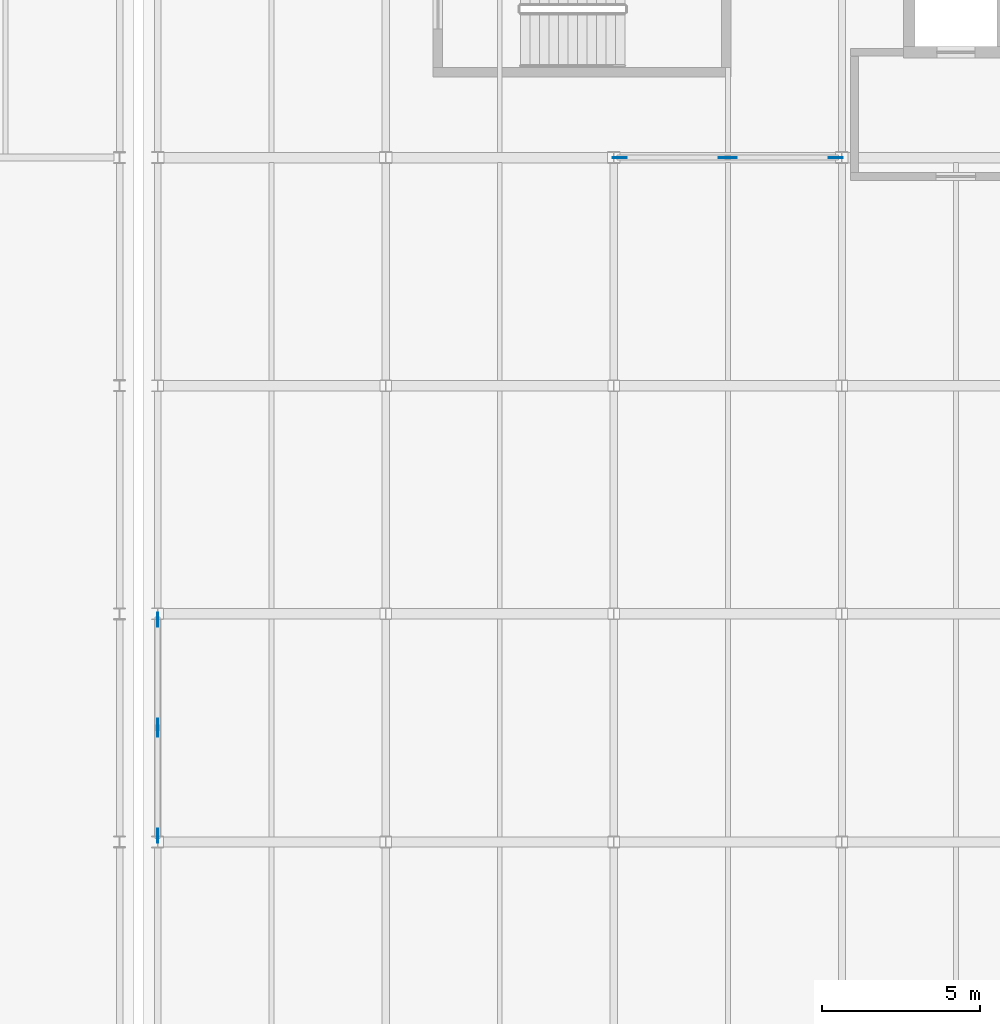
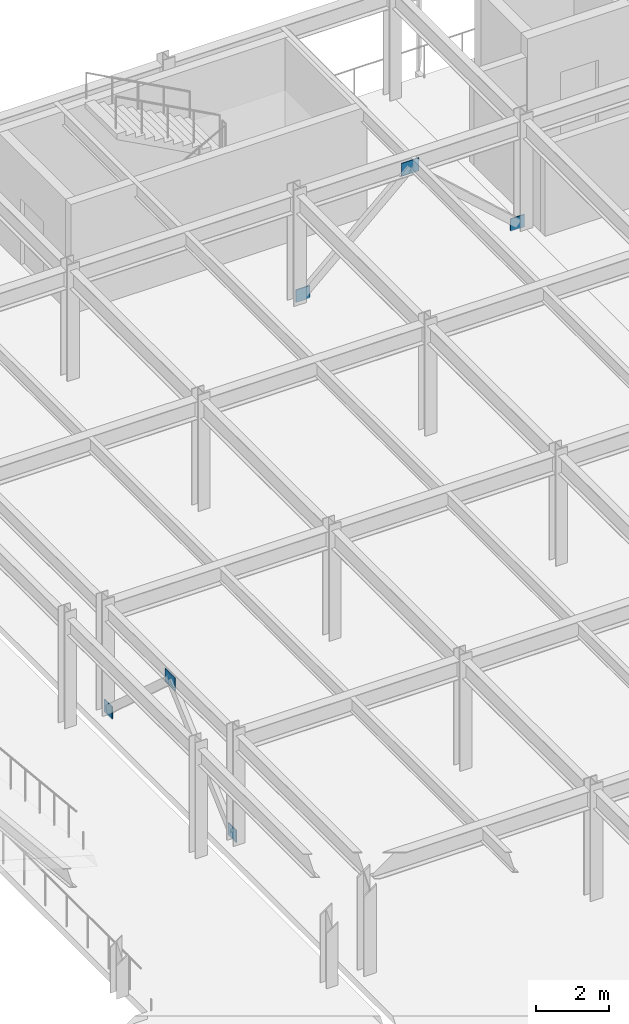
# One storey, part 48 of 80: 6 plates.
"""IFC4 building model written with IfcOpenShell, lengths in metres."""

from ifc_helpers import new_model, si_unit, direction, frame, origin, origin_2d, place, context, subcontext, project, spatial, rectangle, extrude, material, layer, layer_set, type_object, element, save


model = new_model("IFC4")

# Units and contexts
model_context = context("Model", 3, precision=1e-05, world=origin(), true_north=direction((0.0, 1.0)))
body_context = subcontext(model_context, "Body", "Model", "MODEL_VIEW")
ifc_project = project(units=[si_unit("LENGTHUNIT", "METRE"), si_unit("AREAUNIT", "SQUARE_METRE"), si_unit("VOLUMEUNIT", "CUBIC_METRE"), si_unit("PLANEANGLEUNIT", "RADIAN"), si_unit("MASSUNIT", "GRAM", prefix="KILO")], contexts=[model_context])

# Site, building, storey
site_placement = place(None, origin())
site = spatial("IfcSite", under=ifc_project, at=site_placement, CompositionType="ELEMENT")
building_placement = place(site_placement, origin())
building = spatial("IfcBuilding", under=site, at=building_placement, Name="Vaelcorin Mobility Hub", CompositionType="ELEMENT")
storey_placement = place(building_placement, frame((0.0, 0.0, 9.300048828125)))
storey = spatial("IfcBuildingStorey", under=building, at=storey_placement, Name="L02", CompositionType="ELEMENT", Elevation=9.300048828125)

# Plates
ifc_material = material(Name="Steel ASTM A572 Grade 50", Category="steel")
ifc_layer = layer(ifc_material, 0.030029296875)
ifc_layer_set = layer_set([ifc_layer], Name="Steel ASTM A572 Grade 50")
plate_type = type_object("IfcPlateType", Name="PL-GN2", PredefinedType="USERDEFINED", material=ifc_layer_set)
for number, where, z_axis, x_axis, name in (
    (1, (50.590087890625, 112.800048828125, -0.030029296875), (0.0, 0.0, 1.0), (1.0, 0.0, 0.0), "SCBF Gusset Plate GN2 V4-BX1-L02-A"),
    (2, (57.409912109375, 112.800048828125, -0.030029296875), (0.0, 0.0, 1.0), (1.0, 0.0, 0.0), "SCBF Gusset Plate GN2 V4-BX1-L02-B"),
):
    element("IfcPlate", number, at=place(storey_placement, frame(where, z_axis=z_axis, x_axis=x_axis)), inside=storey, type_object=plate_type, Name=name, ObjectType="GUSSET PLATE", PredefinedType="USERDEFINED", context=body_context, shape_type="SweptSolid", body=[
        extrude(rectangle(XDim=0.43994140625, YDim=0.030029296875, at=origin_2d()), origin(), (0.0, 0.0, 1.0), 0.419921875),
    ])
plate_1_placement = place(storey_placement, frame((54.0, 112.800048828125, 3.030029296875), z_axis=(0.0, 0.0, 1.0), x_axis=(1.0, 0.0, 0.0)))
element("IfcPlate", 3, at=plate_1_placement, inside=storey, type_object=plate_type, Name="SCBF Apex Gusset GN2 V4-BX1-L02", ObjectType="GUSSET PLATE", PredefinedType="USERDEFINED", context=body_context, shape_type="SweptSolid", body=[
    extrude(rectangle(XDim=0.56005859375, YDim=0.030029296875, at=origin_2d()), origin(), (0.0, 0.0, 1.0), 0.43994140625),
])
for number, where, z_axis, x_axis, name in (
    (4, (36.0, 91.389892578125, -0.030029296875), (0.0, 0.0, 1.0), (0.0, 1.0, 0.0), "SCBF Gusset Plate GN2 V4-BY1-L02-A"),
    (5, (36.0, 98.2099609375, -0.030029296875), (0.0, 0.0, 1.0), (0.0, 1.0, 0.0), "SCBF Gusset Plate GN2 V4-BY1-L02-B"),
):
    element("IfcPlate", number, at=place(storey_placement, frame(where, z_axis=z_axis, x_axis=x_axis)), inside=storey, type_object=plate_type, Name=name, ObjectType="GUSSET PLATE", PredefinedType="USERDEFINED", context=body_context, shape_type="SweptSolid", body=[
        extrude(rectangle(XDim=0.43994140625, YDim=0.030029296875, at=origin_2d()), origin(), (0.0, 0.0, 1.0), 0.419921875),
    ])
plate_2_placement = place(storey_placement, frame((36.0, 94.800048828125, 3.030029296875), z_axis=(0.0, 0.0, 1.0), x_axis=(0.0, 1.0, 0.0)))
element("IfcPlate", 6, at=plate_2_placement, inside=storey, type_object=plate_type, Name="SCBF Apex Gusset GN2 V4-BY1-L02", ObjectType="GUSSET PLATE", PredefinedType="USERDEFINED", context=body_context, shape_type="SweptSolid", body=[
    extrude(rectangle(XDim=0.56005859375, YDim=0.030029296875, at=origin_2d()), origin(), (0.0, 0.0, 1.0), 0.43994140625),
])

save(model, "model.ifc")
